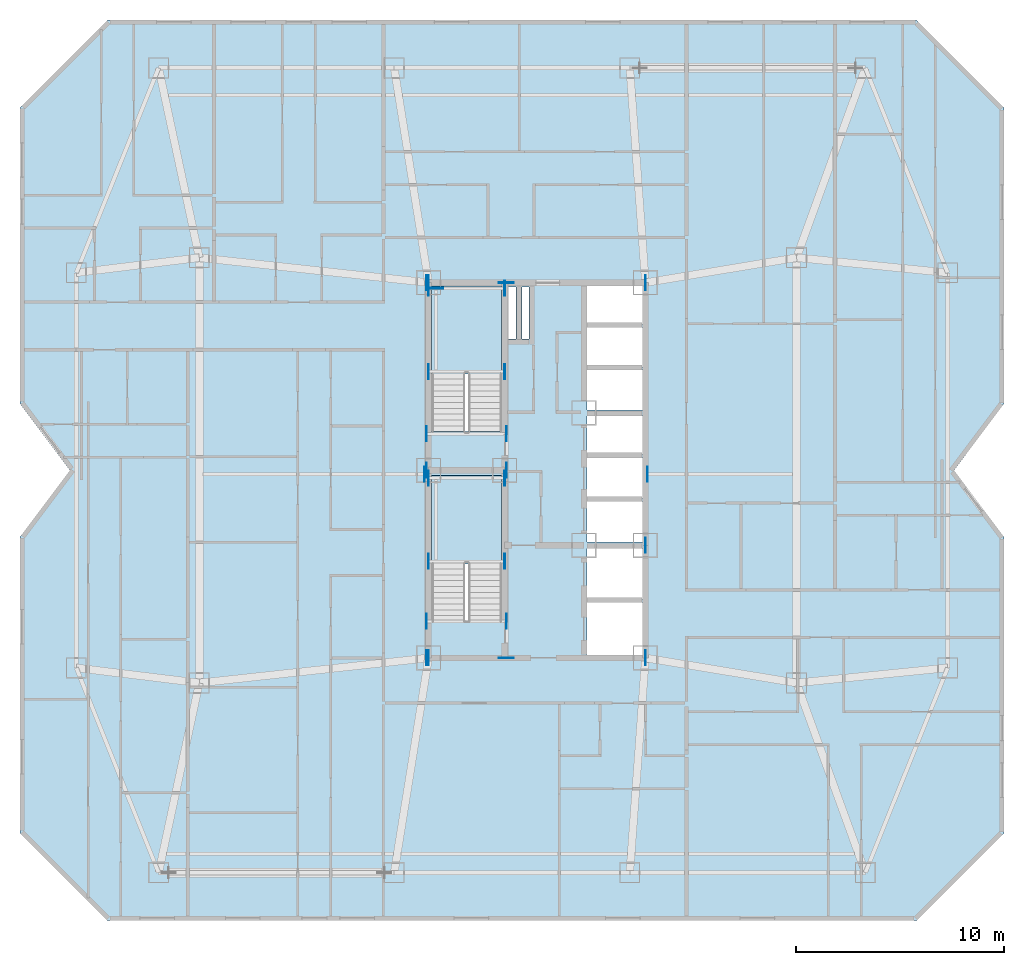
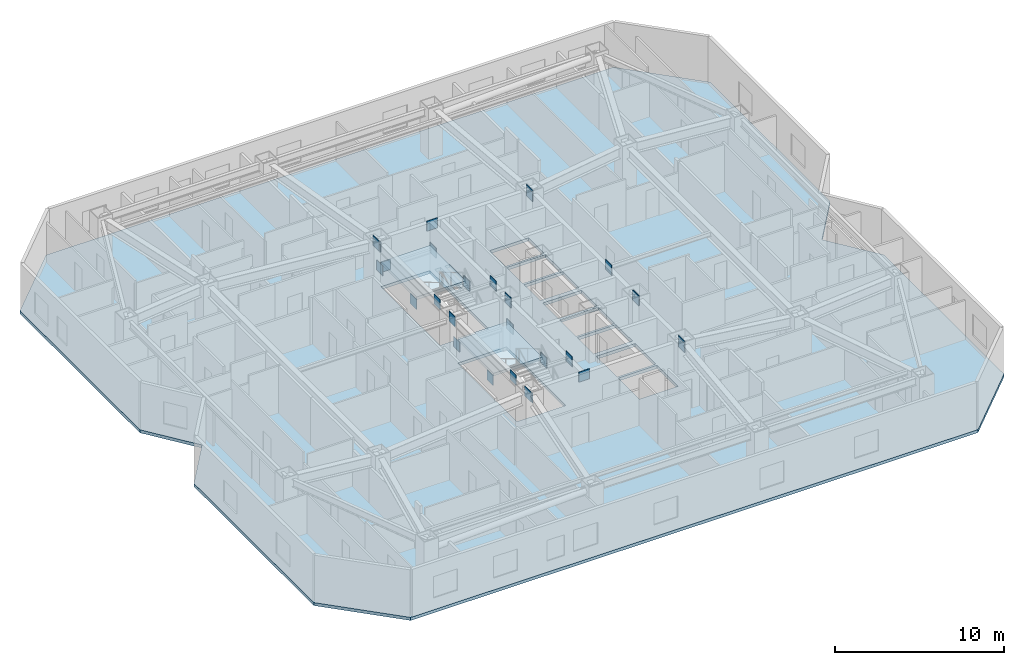
# One storey, part 2 of 12: 28 plates, 3 slabs, 2 elements without a shape of their own.
"""IFC4 building model written with IfcOpenShell, lengths in metres."""

from ifc_helpers import new_model, si_unit, direction, frame, origin, origin_2d, place, context, subcontext, project, spatial, polyline, rectangle, outline, extrude, material, layer, layer_set, type_object, element, aggregate, save


model = new_model("IFC4")

# Units and contexts
model_context = context("Model", 3, precision=1e-05, world=origin(), true_north=direction((0.0, 1.0)))
body_context = subcontext(model_context, "Body", "Model", "MODEL_VIEW")
ifc_project = project(units=[si_unit("LENGTHUNIT", "METRE"), si_unit("AREAUNIT", "SQUARE_METRE"), si_unit("VOLUMEUNIT", "CUBIC_METRE"), si_unit("PLANEANGLEUNIT", "RADIAN"), si_unit("MASSUNIT", "GRAM", prefix="KILO")], contexts=[model_context])

# Site, building, storey
site_placement = place(None, origin())
site = spatial("IfcSite", under=ifc_project, at=site_placement, CompositionType="ELEMENT")
building_placement = place(site_placement, origin())
building = spatial("IfcBuilding", under=site, at=building_placement, Name="Khamvora Tower", CompositionType="ELEMENT")
storey_placement = place(building_placement, frame((0.0, 0.0, 127.449951171875)))
storey = spatial("IfcBuildingStorey", under=building, at=storey_placement, Name="L32", CompositionType="ELEMENT", Elevation=127.449951171875)

# Plates
ifc_material_1 = material(Name="Steel S460", Category="steel")
ifc_layer_1 = layer(ifc_material_1, 0.034912109375)
ifc_layer_set_1 = layer_set([ifc_layer_1], Name="Steel S460")
plate_type = type_object("IfcPlateType", Name="PL-EMB-35", PredefinedType="SHEET", material=ifc_layer_set_1)
for number, where, z_axis, x_axis, name in (
    (1, (29.0, 23.635009765625, 1.13427734375), (0.0, 0.0, 1.0), (1.0, 0.0, 0.0), "L32 core shear wall cast-in embed plate 0936"),
    (2, (32.64990234375, 23.635009765625, 1.13427734375), (0.0, 0.0, 1.0), (1.0, 0.0, 0.0), "L32 core shear wall cast-in embed plate 0937"),
    (3, (29.0, 27.6298828125, 1.13427734375), (0.0, 0.0, 1.0), (1.0, 0.0, 0.0), "L32 core shear wall cast-in embed plate 0938"),
    (4, (32.64990234375, 27.6298828125, 1.13427734375), (0.0, 0.0, 1.0), (1.0, 0.0, 0.0), "L32 core shear wall cast-in embed plate 0939"),
    (5, (29.0, 32.735107421875, 1.13427734375), (0.0, 0.0, 1.0), (1.0, 0.0, 0.0), "L32 core shear wall cast-in embed plate 0940"),
    (6, (32.64990234375, 32.735107421875, 1.13427734375), (0.0, 0.0, 1.0), (1.0, 0.0, 0.0), "L32 core shear wall cast-in embed plate 0941"),
    (7, (29.0, 36.72998046875, 1.13427734375), (0.0, 0.0, 1.0), (1.0, 0.0, 0.0), "L32 core shear wall cast-in embed plate 0942"),
    (8, (32.64990234375, 36.72998046875, 1.13427734375), (0.0, 0.0, 1.0), (1.0, 0.0, 0.0), "L32 core shear wall cast-in embed plate 0943"),
):
    element("IfcPlate", number, at=place(storey_placement, frame(where, z_axis=z_axis, x_axis=x_axis)), inside=storey, type_object=plate_type, Name=name, PredefinedType="SHEET", context=body_context, shape_type="SweptSolid", body=[
        extrude(rectangle(XDim=0.034912109375, YDim=0.719970703125, at=origin_2d()), origin(), (0.0, 0.0, 1.0), 0.719970703125),
    ])
plate_1_placement = place(storey_placement, frame((29.35009765625, 36.72998046875, 1.13427734375), z_axis=(0.0, 0.0, 1.0), x_axis=(1.0, 0.0, 0.0)))
element("IfcPlate", 9, at=plate_1_placement, inside=storey, type_object=plate_type, Name="L32 core shear wall cast-in embed plate 0944", PredefinedType="SHEET", context=body_context, shape_type="SweptSolid", body=[
    extrude(rectangle(XDim=0.719970703125, YDim=0.034912109375, at=origin_2d()), origin(), (0.0, 0.0, 1.0), 0.719970703125),
])
for number, where, z_axis, x_axis, name in (
    (10, (29.0, 19.0, 2.68310546875), (0.0, 0.0, 1.0), (1.0, 0.0, 0.0), "L32 core shear wall cast-in embed plate 0945"),
    (11, (39.39990234375, 19.0, 2.68310546875), (0.0, 0.0, 1.0), (1.0, 0.0, 0.0), "L32 core shear wall cast-in embed plate 0946"),
    (12, (29.0, 37.0, 2.68310546875), (0.0, 0.0, 1.0), (1.0, 0.0, 0.0), "L32 core shear wall cast-in embed plate 0947"),
    (13, (39.39990234375, 37.0, 2.68310546875), (0.0, 0.0, 1.0), (1.0, 0.0, 0.0), "L32 core shear wall cast-in embed plate 0948"),
    (14, (28.89990234375, 19.0, 2.80322265625), (0.0, 0.0, 1.0), (1.0, 0.0, 0.0), "L32 core shear wall cast-in embed plate 0949"),
    (15, (28.89990234375, 28.0, 2.80322265625), (0.0, 0.0, 1.0), (1.0, 0.0, 0.0), "L32 core shear wall cast-in embed plate 0950"),
    (16, (28.89990234375, 37.0, 2.80322265625), (0.0, 0.0, 1.0), (1.0, 0.0, 0.0), "L32 core shear wall cast-in embed plate 0951"),
):
    element("IfcPlate", number, at=place(storey_placement, frame(where, z_axis=z_axis, x_axis=x_axis)), inside=storey, type_object=plate_type, Name=name, PredefinedType="SHEET", context=body_context, shape_type="SweptSolid", body=[
        extrude(rectangle(XDim=0.034912109375, YDim=0.719970703125, at=origin_2d()), origin(), (0.0, 0.0, 1.0), 0.719970703125),
    ])
plate_2_placement = place(storey_placement, frame((32.72998046875, 19.0, 2.80322265625), z_axis=(0.0, 0.0, 1.0), x_axis=(1.0, 0.0, 0.0)))
element("IfcPlate", 17, at=plate_2_placement, inside=storey, type_object=plate_type, Name="L32 core shear wall cast-in embed plate 0952", PredefinedType="SHEET", context=body_context, shape_type="SweptSolid", body=[
    extrude(rectangle(XDim=0.719970703125, YDim=0.034912109375, at=origin_2d()), origin(), (0.0, 0.0, 1.0), 0.719970703125),
])
plate_3_placement = place(storey_placement, frame((32.72998046875, 28.0, 2.80322265625), z_axis=(0.0, 0.0, 1.0), x_axis=(1.0, 0.0, 0.0)))
element("IfcPlate", 18, at=plate_3_placement, inside=storey, type_object=plate_type, Name="L32 core shear wall cast-in embed plate 0953", PredefinedType="SHEET", context=body_context, shape_type="SweptSolid", body=[
    extrude(rectangle(XDim=0.034912109375, YDim=0.719970703125, at=origin_2d()), origin(), (0.0, 0.0, 1.0), 0.719970703125),
])
plate_4_placement = place(storey_placement, frame((32.72998046875, 37.0, 2.80322265625), z_axis=(0.0, 0.0, 1.0), x_axis=(1.0, 0.0, 0.0)))
element("IfcPlate", 19, at=plate_4_placement, inside=storey, type_object=plate_type, Name="L32 core shear wall cast-in embed plate 0954", PredefinedType="SHEET", context=body_context, shape_type="SweptSolid", body=[
    extrude(rectangle(XDim=0.719970703125, YDim=0.034912109375, at=origin_2d()), origin(), (0.0, 0.0, 1.0), 0.719970703125),
])
for number, where, z_axis, x_axis, name in (
    (20, (39.39990234375, 19.0, 2.80322265625), (0.0, 0.0, 1.0), (1.0, 0.0, 0.0), "L32 core shear wall cast-in embed plate 0955"),
    (21, (39.39990234375, 24.39990234375, 2.80322265625), (0.0, 0.0, 1.0), (1.0, 0.0, 0.0), "L32 core shear wall cast-in embed plate 0956"),
    (22, (39.39990234375, 37.0, 2.80322265625), (0.0, 0.0, 1.0), (1.0, 0.0, 0.0), "L32 core shear wall cast-in embed plate 0957"),
    (23, (28.89990234375, 20.75, 2.94384765625), (0.0, 0.0, 1.0), (1.0, 0.0, 0.0), "L32 core shear wall cast-in embed plate 0958"),
    (24, (32.72998046875, 20.75, 2.94384765625), (0.0, 0.0, 1.0), (1.0, 0.0, 0.0), "L32 core shear wall cast-in embed plate 0959"),
    (25, (28.89990234375, 29.75, 2.94384765625), (0.0, 0.0, 1.0), (1.0, 0.0, 0.0), "L32 core shear wall cast-in embed plate 0960"),
    (26, (32.72998046875, 29.75, 2.94384765625), (0.0, 0.0, 1.0), (1.0, 0.0, 0.0), "L32 core shear wall cast-in embed plate 0961"),
    (27, (28.800048828125, 27.800048828125, 2.9140625), (0.0, 0.0, 1.0), (1.0, 0.0, 0.0), "L32 core shear wall cast-in embed plate 0962"),
    (28, (39.4990234375, 27.800048828125, 2.9140625), (0.0, 0.0, 1.0), (1.0, 0.0, 0.0), "L32 core shear wall cast-in embed plate 0963"),
):
    element("IfcPlate", number, at=place(storey_placement, frame(where, z_axis=z_axis, x_axis=x_axis)), inside=storey, type_object=plate_type, Name=name, PredefinedType="SHEET", context=body_context, shape_type="SweptSolid", body=[
        extrude(rectangle(XDim=0.034912109375, YDim=0.719970703125, at=origin_2d()), origin(), (0.0, 0.0, 1.0), 0.719970703125),
    ])

# Stair, slab
ifc_material_2 = material(Name="Concrete C40/50", Category="concrete")
stair_type_1 = type_object("IfcStairType", Name="STR-ST-01", PredefinedType="HALF_TURN_STAIR", material=ifc_material_2)
stair_1_placement = place(storey_placement, origin())
stair_1 = element("IfcStair", 29, at=stair_1_placement, inside=storey, type_object=stair_type_1, Name="L32 South Tower Exit Stair ST-01", PredefinedType="HALF_TURN_STAIR")
ifc_layer_2 = layer(ifc_material_2, 0.199951171875)
ifc_layer_set_2 = layer_set([ifc_layer_2], Name="Concrete C40/50")
slab_type_1 = type_object("IfcSlabType", Name="SLB-LND-200", PredefinedType="LANDING", material=ifc_layer_set_2)
slab_1_placement = place(storey_placement, frame((0.0, 0.0, 1.625)))
slab_1 = element("IfcSlab", 30, at=slab_1_placement, type_object=slab_type_1, Name="ST-01 landing 1", PredefinedType="LANDING", context=body_context, shape_type="SweptSolid", body=[
    extrude(outline(polyline([(32.5, 23.514892578125), (32.5, 27.75), (29.14990234375, 27.75), (29.14990234375, 23.514892578125), (32.5, 23.514892578125)])), origin(), (0.0, 0.0, 1.0), 0.199951171875),
])
aggregate(stair_1, [slab_1])

stair_type_2 = type_object("IfcStairType", Name="STR-ST-02", PredefinedType="HALF_TURN_STAIR", material=ifc_material_2)
stair_2_placement = place(storey_placement, origin())
stair_2 = element("IfcStair", 31, at=stair_2_placement, inside=storey, type_object=stair_type_2, Name="L32 North Tower Exit Stair ST-02", PredefinedType="HALF_TURN_STAIR")
slab_2_placement = place(storey_placement, frame((0.0, 0.0, 1.625)))
slab_2 = element("IfcSlab", 32, at=slab_2_placement, type_object=slab_type_1, Name="ST-02 landing 1", PredefinedType="LANDING", context=body_context, shape_type="SweptSolid", body=[
    extrude(outline(polyline([(32.5, 32.614990234375), (32.5, 36.85009765625), (29.14990234375, 36.85009765625), (29.14990234375, 32.614990234375), (32.5, 32.614990234375)])), origin(), (0.0, 0.0, 1.0), 0.199951171875),
])
aggregate(stair_2, [slab_2])

# Slab
ifc_material_3 = material(Name="Concrete C35/45", Category="concrete")
ifc_layer_3 = layer(ifc_material_3, 0.219970703125)
ifc_layer_set_3 = layer_set([ifc_layer_3], Name="Concrete C35/45")
slab_type_2 = type_object("IfcSlabType", Name="SLB-TYP-220", PredefinedType="FLOOR", material=ifc_layer_set_3)
slab_3_placement = place(storey_placement, frame((0.0, 0.0, -0.219970703125)))
element("IfcSlab", 33, at=slab_3_placement, inside=storey, type_object=slab_type_2, Name="L32 structural floor slab", PredefinedType="FLOOR", context=body_context, shape_type="SweptSolid", body=[
    extrude(outline(polyline([(13.60009765625, 6.39990234375), (52.39990234375, 6.39990234375), (56.60009765625, 10.60009765625), (56.60009765625, 24.800048828125), (54.199951171875, 28.0), (56.60009765625, 31.199951171875), (56.60009765625, 45.39990234375), (52.39990234375, 49.60009765625), (13.60009765625, 49.60009765625), (9.39990234375, 45.39990234375), (9.39990234375, 31.199951171875), (11.800048828125, 28.0), (9.39990234375, 24.800048828125), (9.39990234375, 10.60009765625), (13.60009765625, 6.39990234375)]), holes=[polyline([(32.5, 20.760009765625), (32.5, 27.75), (29.14990234375, 27.75), (29.14990234375, 20.760009765625), (32.5, 20.760009765625)]), polyline([(32.5, 29.860107421875), (32.5, 36.85009765625), (29.14990234375, 36.85009765625), (29.14990234375, 29.860107421875), (32.5, 29.860107421875)]), polyline([(36.60009765625, 19.14990234375), (39.25, 19.14990234375), (39.25, 21.64990234375), (36.60009765625, 21.64990234375), (36.60009765625, 19.14990234375)]), polyline([(36.60009765625, 21.800048828125), (39.25, 21.800048828125), (39.25, 24.25), (36.60009765625, 24.25), (36.60009765625, 21.800048828125)]), polyline([(36.60009765625, 24.550048828125), (39.25, 24.550048828125), (39.25, 26.5), (36.60009765625, 26.5), (36.60009765625, 24.550048828125)]), polyline([(36.60009765625, 26.64990234375), (39.25, 26.64990234375), (39.25, 28.60009765625), (36.60009765625, 28.60009765625), (36.60009765625, 26.64990234375)]), polyline([(36.60009765625, 28.75), (39.25, 28.75), (39.25, 30.60009765625), (36.60009765625, 30.60009765625), (36.60009765625, 28.75)]), polyline([(36.60009765625, 30.89990234375), (39.25, 30.89990234375), (39.25, 32.800048828125), (36.60009765625, 32.800048828125), (36.60009765625, 30.89990234375)]), polyline([(36.60009765625, 32.949951171875), (39.25, 32.949951171875), (39.25, 34.85009765625), (36.60009765625, 34.85009765625), (36.60009765625, 32.949951171875)]), polyline([(36.60009765625, 35.0), (39.25, 35.0), (39.25, 36.85009765625), (36.60009765625, 36.85009765625), (36.60009765625, 35.0)]), polyline([(32.800048828125, 34.300048828125), (33.199951171875, 34.300048828125), (33.199951171875, 36.800048828125), (32.800048828125, 36.800048828125), (32.800048828125, 34.300048828125)]), polyline([(33.47998046875, 34.300048828125), (33.820068359375, 34.300048828125), (33.820068359375, 36.800048828125), (33.47998046875, 36.800048828125), (33.47998046875, 34.300048828125)])]), origin(), (0.0, 0.0, 1.0), 0.219970703125),
])

save(model, "model.ifc")
